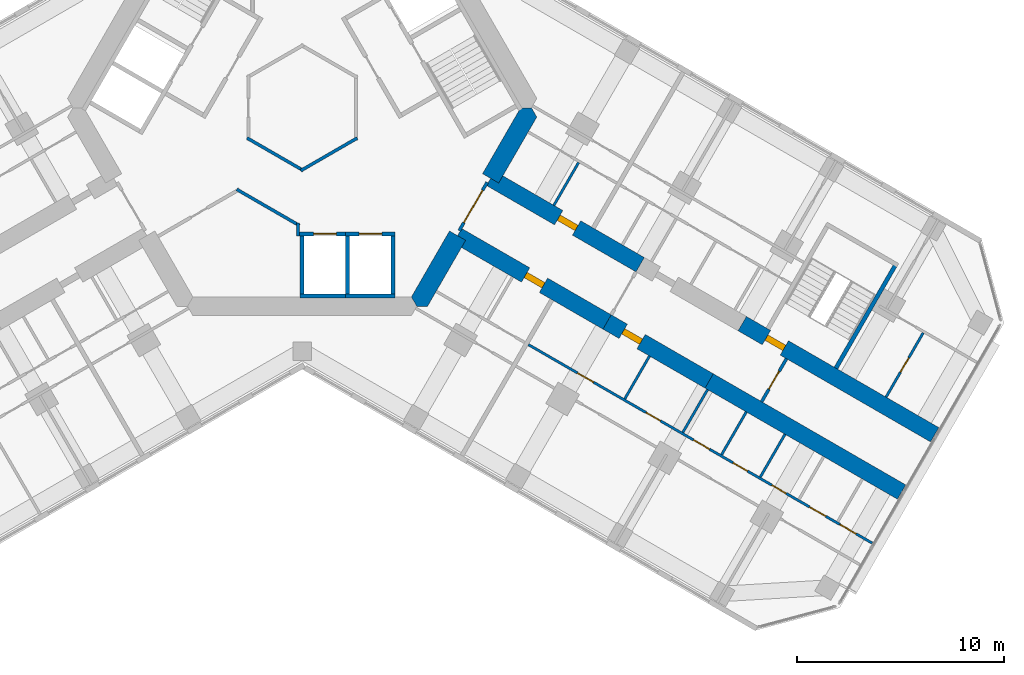
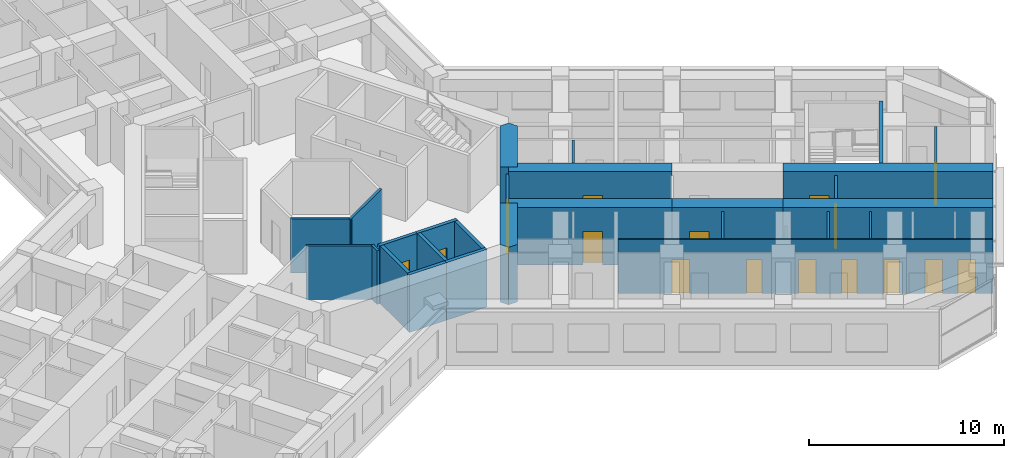
# One storey, part 14 of 19: 28 walls, 16 doors, 16 openings.
"""IFC4 building model written with IfcOpenShell, lengths in metres."""

from ifc_helpers import new_model, si_unit, direction, frame, frame_2d, origin, place, context, subcontext, project, spatial, polyline, rectangle, outline, extrude, material, layer, layer_set, type_object, element, fill, save


model = new_model("IFC4")

# Units and contexts
model_context = context("Model", 3, precision=1e-05, world=origin(), true_north=direction((0.0, 1.0)))
body_context = subcontext(model_context, "Body", "Model", "MODEL_VIEW")
ifc_project = project(units=[si_unit("LENGTHUNIT", "METRE"), si_unit("AREAUNIT", "SQUARE_METRE"), si_unit("VOLUMEUNIT", "CUBIC_METRE"), si_unit("PLANEANGLEUNIT", "RADIAN"), si_unit("MASSUNIT", "GRAM", prefix="KILO")], contexts=[model_context])

# Site, building, storey
site_placement = place(None, origin())
site = spatial("IfcSite", under=ifc_project, at=site_placement, CompositionType="ELEMENT")
building_placement = place(site_placement, origin())
building = spatial("IfcBuilding", under=site, at=building_placement, Name="Kosmar Iwan School Tower", CompositionType="ELEMENT")
storey_placement = place(building_placement, frame((0.0, 0.0, 149.0)))
storey = spatial("IfcBuildingStorey", under=building, at=storey_placement, Name="L37", CompositionType="ELEMENT", Elevation=149.0)

# Walls
ifc_material_1 = material(Name="Gypsum board on steel studs, fire-rated", Category="steel")
ifc_layer_1 = layer(ifc_material_1, 0.14990234375)
ifc_layer_set_1 = layer_set([ifc_layer_1], Name="Core room partition 150")
wall_type_1 = type_object("IfcWallType", Name="Core room partition 150", PredefinedType="PARTITIONING", material=ifc_layer_set_1)
wall_1_placement = place(storey_placement, frame((-3.1650390625, -3.9462890625, 0.0), z_axis=(0.0, 0.0, 1.0), x_axis=(0.866040335699, -0.499974136273, 0.0)))
element("IfcWall", 1, at=wall_1_placement, inside=storey, type_object=wall_type_1, Name="Core room partition L37-CW6", PredefinedType="PARTITIONING", context=body_context, shape_type="SweptSolid", body=[
    extrude(rectangle(XDim=3.498779296875, YDim=0.14990234375, at=frame_2d((1.74951171875, 0.0))), origin(), (0.0, 0.0, 1.0), 3.35009765625),
])
wall_2_placement = place(storey_placement, frame((-0.199951171875, -5.5830078125, 0.0), z_axis=(0.0, 0.0, 1.0), x_axis=(0.0, -1.0, 0.0)))
element("IfcWall", 2, at=wall_2_placement, inside=storey, type_object=wall_type_1, Name="Core room partition L37-CW7", PredefinedType="PARTITIONING", context=body_context, shape_type="SweptSolid", body=[
    extrude(rectangle(XDim=0.616943359375, YDim=0.14990234375, at=frame_2d((0.30859375, 0.0))), origin(), (0.0, 0.0, 1.0), 3.35009765625),
])
for number, where, z_axis, x_axis, name in (
    (3, (2.6650390625, -1.463623046875, 0.0), (0.0, 0.0, 1.0), (-0.866023080072, -0.500004024767, 0.0), "Core room partition L37-CW8"),
    (4, (0.06494140625, -3.039794921875, 0.0), (0.0, 0.0, 1.0), (-0.866023080072, 0.500004024767, 0.0), "Core room partition L37-CW9"),
):
    element("IfcWall", number, at=place(storey_placement, frame(where, z_axis=z_axis, x_axis=x_axis)), inside=storey, type_object=wall_type_1, Name=name, PredefinedType="PARTITIONING", context=body_context, shape_type="SweptSolid", body=[
        extrude(rectangle(XDim=3.15234375, YDim=0.14990234375, at=frame_2d((1.576171875, 0.0))), origin(), (0.0, 0.0, 1.0), 3.35009765625),
    ])
ifc_material_2 = material(Name="Concrete C50/60", Category="concrete")
ifc_layer_2 = layer(ifc_material_2, 0.89990234375)
ifc_layer_set_2 = layer_set([ifc_layer_2], Name="Core wall 900")
wall_type_2 = type_object("IfcWallType", Name="Core wall 900", PredefinedType="SHEAR", material=ifc_layer_set_2)
wall_3_placement = place(storey_placement, origin())
element("IfcWall", 5, at=wall_3_placement, inside=storey, type_object=wall_type_2, Name="Core wall F330a", PredefinedType="SHEAR", context=body_context, shape_type="SweptSolid", body=[
    extrude(outline(polyline([(5.54248046875, -9.60009765625), (6.062255859375, -9.60009765625), (7.903564453125, -6.41064453125), (7.1240234375, -5.960693359375), (5.28271484375, -9.14990234375), (5.54248046875, -9.60009765625)])), origin(), (0.0, 0.0, 1.0), 3.60009765625),
])
wall_4_placement = place(storey_placement, origin())
element("IfcWall", 6, at=wall_4_placement, inside=storey, type_object=wall_type_2, Name="Core wall F330b", PredefinedType="SHEAR", context=body_context, shape_type="SweptSolid", body=[
    extrude(outline(polyline([(9.503662109375, -3.639404296875), (11.344970703125, -0.449951171875), (11.085205078125, 0.0), (10.5654296875, 0.0), (8.72412109375, -3.189453125), (9.503662109375, -3.639404296875)])), origin(), (0.0, 0.0, 1.0), 3.60009765625),
])

# Wall, opening, door
ifc_material_3 = material(Name="Concrete C50/60", Category="concrete")
ifc_layer_3 = layer(ifc_material_3, 0.800048828125)
ifc_layer_set_3 = layer_set([ifc_layer_3], Name="Corridor buttress wall 800")
wall_type_3 = type_object("IfcWallType", Name="Corridor buttress wall 800", PredefinedType="SHEAR", material=ifc_layer_set_3)
wall_5_placement = place(storey_placement, frame((9.11376953125, -3.414306640625, 0.0), z_axis=(0.0, 0.0, 1.0), x_axis=(0.866026859388, -0.499997478812, 0.0)))
wall_5 = element("IfcWall", 7, at=wall_5_placement, inside=storey, type_object=wall_type_3, Name="Corridor wall CL", PredefinedType="SHEAR", context=body_context, shape_type="SweptSolid", body=[
    extrude(rectangle(XDim=8.35009765625, YDim=0.800048828125, at=frame_2d((4.175048828125, 0.0))), origin(), (0.0, 0.0, 1.0), 3.60009765625),
])
opening_1_placement = place(wall_5_placement, frame((3.800048828125, 0.0, 0.0)))
opening_1 = element("IfcOpeningElement", 8, at=opening_1_placement, cuts=wall_5, Name="Opening D1", PredefinedType="OPENING", context=body_context, shape_type="SweptSolid", body=[
    extrude(rectangle(XDim=1.0, YDim=2.10009765625, at=frame_2d((0.5, 1.050048828125))), frame((0.0, 0.412109375, 0.0), z_axis=(0.0, -1.0, 0.0), x_axis=(1.0, 0.0, 0.0)), (0.0, 0.0, 1.0), 0.823974609375),
])
ifc_material_4 = material(Name="Timber fire door in steel frame", Category="steel")
door_type_1 = type_object("IfcDoorType", Name="Flat entrance door 1000x2100", OperationType="SINGLE_SWING_LEFT", PredefinedType="DOOR", material=ifc_material_4)
door_1_placement = place(opening_1_placement, origin())
door_1 = element("IfcDoor", 9, at=door_1_placement, inside=storey, type_object=door_type_1, Name="Flat L37-CL1 entrance door", OperationType="SINGLE_SWING_LEFT", OverallHeight=2.10009765625, OverallWidth=1.0, PredefinedType="DOOR", context=body_context, shape_type="SweptSolid", body=[
    extrude(rectangle(XDim=1.0, YDim=2.10009765625, at=frame_2d((0.5, 1.050048828125))), frame((0.0, 0.14990234375, 0.0), z_axis=(0.0, -1.0, 0.0), x_axis=(1.0, 0.0, 0.0)), (0.0, 0.0, 1.0), 0.300048828125),
])
fill(opening_1, door_1)

wall_6_placement = place(storey_placement, frame((21.281494140625, -10.439453125, 0.0), z_axis=(0.0, 0.0, 1.0), x_axis=(0.866032345022, -0.499987977232, 0.0)))
wall_6 = element("IfcWall", 10, at=wall_6_placement, inside=storey, type_object=wall_type_3, Name="Corridor wall CL bay 3", PredefinedType="SHEAR", context=body_context, shape_type="SweptSolid", body=[
    extrude(rectangle(XDim=10.744873046875, YDim=0.800048828125, at=frame_2d((5.37255859375, 0.0))), origin(), (0.0, 0.0, 1.0), 3.60009765625),
])
opening_2_placement = place(wall_6_placement, frame((1.35009765625, 0.0, 0.0)))
opening_2 = element("IfcOpeningElement", 11, at=opening_2_placement, cuts=wall_6, Name="Opening D6", PredefinedType="OPENING", context=body_context, shape_type="SweptSolid", body=[
    extrude(rectangle(XDim=1.0, YDim=2.10009765625, at=frame_2d((0.5, 1.050048828125))), frame((0.0, 0.412109375, 0.0), z_axis=(0.0, -1.0, 0.0), x_axis=(1.0, 0.0, 0.0)), (0.0, 0.0, 1.0), 0.823974609375),
])
ifc_material_5 = material(Name="Steel fire door", Category="steel")
door_type_2 = type_object("IfcDoorType", Name="Stair door 1000x2100", OperationType="SINGLE_SWING_LEFT", PredefinedType="DOOR", material=ifc_material_5)
door_2_placement = place(opening_2_placement, origin())
door_2 = element("IfcDoor", 12, at=door_2_placement, inside=storey, type_object=door_type_2, Name="Stair WS3 door L37", OperationType="SINGLE_SWING_LEFT", OverallHeight=2.10009765625, OverallWidth=1.0, PredefinedType="DOOR", context=body_context, shape_type="SweptSolid", body=[
    extrude(rectangle(XDim=1.0, YDim=2.10009765625, at=frame_2d((0.5, 1.050048828125))), frame((0.0, 0.14990234375, 0.0), z_axis=(0.0, -1.0, 0.0), x_axis=(1.0, 0.0, 0.0)), (0.0, 0.0, 1.0), 0.300048828125),
])
fill(opening_2, door_2)

wall_7_placement = place(storey_placement, frame((7.513916015625, -6.185546875, 0.0), z_axis=(0.0, 0.0, 1.0), x_axis=(0.866019549707, -0.500010139422, 0.0)))
wall_7 = element("IfcWall", 13, at=wall_7_placement, inside=storey, type_object=wall_type_3, Name="Corridor wall CR", PredefinedType="SHEAR", context=body_context, shape_type="SweptSolid", body=[
    extrude(rectangle(XDim=8.349853515625, YDim=0.800048828125, at=frame_2d((4.1748046875, 0.0))), origin(), (0.0, 0.0, 1.0), 3.60009765625),
])
opening_3_placement = place(wall_7_placement, frame((3.800048828125, 0.0, 0.0)))
opening_3 = element("IfcOpeningElement", 14, at=opening_3_placement, cuts=wall_7, Name="Opening D1", PredefinedType="OPENING", context=body_context, shape_type="SweptSolid", body=[
    extrude(rectangle(XDim=1.0, YDim=2.10009765625, at=frame_2d((0.5, 1.050048828125))), frame((0.0, 0.412109375, 0.0), z_axis=(0.0, -1.0, 0.0), x_axis=(1.0, 0.0, 0.0)), (0.0, 0.0, 1.0), 0.823974609375),
])
door_3_placement = place(opening_3_placement, origin())
door_3 = element("IfcDoor", 15, at=door_3_placement, inside=storey, type_object=door_type_1, Name="Flat L37-CR1 entrance door", OperationType="SINGLE_SWING_RIGHT", OverallHeight=2.10009765625, OverallWidth=1.0, PredefinedType="DOOR", context=body_context, shape_type="SweptSolid", body=[
    extrude(rectangle(XDim=1.0, YDim=2.10009765625, at=frame_2d((0.5, 1.050048828125))), frame((0.0, 0.14990234375, 0.0), z_axis=(0.0, -1.0, 0.0), x_axis=(1.0, 0.0, 0.0)), (0.0, 0.0, 1.0), 0.300048828125),
])
fill(opening_3, door_3)

wall_8_placement = place(storey_placement, frame((14.7451171875, -10.360595703125, 0.0), z_axis=(0.0, 0.0, 1.0), x_axis=(0.866015111908, -0.50001782563, 0.0)))
wall_8 = element("IfcWall", 16, at=wall_8_placement, inside=storey, type_object=wall_type_3, Name="Corridor wall CR bay 2", PredefinedType="SHEAR", context=body_context, shape_type="SweptSolid", body=[
    extrude(rectangle(XDim=5.699951171875, YDim=0.800048828125, at=frame_2d((2.85009765625, 0.0))), origin(), (0.0, 0.0, 1.0), 3.60009765625),
])
opening_4_placement = place(wall_8_placement, frame((0.89990234375, 0.0, 0.0)))
opening_4 = element("IfcOpeningElement", 17, at=opening_4_placement, cuts=wall_8, Name="Opening D1", PredefinedType="OPENING", context=body_context, shape_type="SweptSolid", body=[
    extrude(rectangle(XDim=1.0, YDim=2.10009765625, at=frame_2d((0.5, 1.050048828125))), frame((0.0, 0.412109375, 0.0), z_axis=(0.0, -1.0, 0.0), x_axis=(1.0, 0.0, 0.0)), (0.0, 0.0, 1.0), 0.823974609375),
])
door_4_placement = place(opening_4_placement, origin())
door_4 = element("IfcDoor", 18, at=door_4_placement, inside=storey, type_object=door_type_1, Name="Flat L37-CR2 entrance door", OperationType="SINGLE_SWING_LEFT", OverallHeight=2.10009765625, OverallWidth=1.0, PredefinedType="DOOR", context=body_context, shape_type="SweptSolid", body=[
    extrude(rectangle(XDim=1.0, YDim=2.10009765625, at=frame_2d((0.5, 1.050048828125))), frame((0.0, 0.14990234375, 0.0), z_axis=(0.0, -1.0, 0.0), x_axis=(1.0, 0.0, 0.0)), (0.0, 0.0, 1.0), 0.300048828125),
])
fill(opening_4, door_4)

# Wall
wall_9_placement = place(storey_placement, frame((19.681396484375, -13.210693359375, 0.0), z_axis=(0.0, 0.0, 1.0), x_axis=(0.866028186671, -0.499995179869, 0.0)))
element("IfcWall", 19, at=wall_9_placement, inside=storey, type_object=wall_type_3, Name="Corridor wall CR bay 3", PredefinedType="SHEAR", context=body_context, shape_type="SweptSolid", body=[
    extrude(rectangle(XDim=10.7451171875, YDim=0.800048828125, at=frame_2d((5.37255859375, 0.0))), origin(), (0.0, 0.0, 1.0), 3.60009765625),
])

# Wall, opening, door
ifc_material_6 = material(Name="Gypsum board on steel studs, fire-rated", Category="steel")
ifc_layer_4 = layer(ifc_material_6, 0.14990234375)
ifc_layer_set_4 = layer_set([ifc_layer_4], Name="Corridor end wall 150")
wall_type_4 = type_object("IfcWallType", Name="Corridor end wall 150", PredefinedType="PARTITIONING", material=ifc_layer_set_4)
wall_10_placement = place(storey_placement, frame((22.2197265625, -14.21435546875, 0.0), z_axis=(0.0, 0.0, 1.0), x_axis=(0.499957262057, 0.866050077142, 0.0)))
wall_10 = element("IfcWall", 20, at=wall_10_placement, inside=storey, type_object=wall_type_4, Name="Partition L37-C-CE", PredefinedType="PARTITIONING", context=body_context, shape_type="SweptSolid", body=[
    extrude(rectangle(XDim=2.400146484375, YDim=0.14990234375, at=frame_2d((1.2001953125, 0.0))), origin(), (0.0, 0.0, 1.0), 3.35009765625),
])
opening_5_placement = place(wall_10_placement, frame((0.699951171875, 0.0, 0.0)))
opening_5 = element("IfcOpeningElement", 21, at=opening_5_placement, cuts=wall_10, Name="Opening D13", PredefinedType="OPENING", context=body_context, shape_type="SweptSolid", body=[
    extrude(rectangle(XDim=1.0, YDim=2.10009765625, at=frame_2d((0.5, 1.050048828125))), frame((0.0, 0.0869140625, 0.0), z_axis=(0.0, -1.0, 0.0), x_axis=(1.0, 0.0, 0.0)), (0.0, 0.0, 1.0), 0.173828125),
])
ifc_material_7 = material(Name="Timber fire door with vision panel", Category="wood")
door_type_3 = type_object("IfcDoorType", Name="Corridor end door 1000x2100", OperationType="SINGLE_SWING_LEFT", PredefinedType="DOOR", material=ifc_material_7)
door_5_placement = place(opening_5_placement, origin())
door_5 = element("IfcDoor", 22, at=door_5_placement, inside=storey, type_object=door_type_3, Name="Family study room door L37-C", OperationType="SINGLE_SWING_LEFT", OverallHeight=2.10009765625, OverallWidth=1.0, PredefinedType="DOOR", context=body_context, shape_type="SweptSolid", body=[
    extrude(rectangle(XDim=1.0, YDim=2.10009765625, at=frame_2d((0.5, 1.050048828125))), frame((0.0, 0.02490234375, 0.0), z_axis=(0.0, -1.0, 0.0), x_axis=(1.0, 0.0, 0.0)), (0.0, 0.0, 1.0), 0.050048828125),
])
fill(opening_5, door_5)

ifc_material_8 = material(Name="Steel framed glazed screen", Category="steel")
ifc_layer_5 = layer(ifc_material_8, 0.14990234375)
ifc_layer_set_5 = layer_set([ifc_layer_5], Name="Corridor screen wall 150")
wall_type_5 = type_object("IfcWallType", Name="Corridor screen wall 150", PredefinedType="PARTITIONING", material=ifc_layer_set_5)
wall_11_placement = place(storey_placement, frame((7.595458984375, -5.944091796875, 0.0), z_axis=(0.0, 0.0, 1.0), x_axis=(0.500048589285, 0.86599734893, 0.0)))
wall_11 = element("IfcWall", 23, at=wall_11_placement, inside=storey, type_object=wall_type_5, Name="Corridor screen C L37", PredefinedType="PARTITIONING", context=body_context, shape_type="SweptSolid", body=[
    extrude(rectangle(XDim=2.699951171875, YDim=0.14990234375, at=frame_2d((1.35009765625, 0.0))), origin(), (0.0, 0.0, 1.0), 3.35009765625),
])
opening_6_placement = place(wall_11_placement, frame((0.449951171875, 0.0, 0.0)))
opening_6 = element("IfcOpeningElement", 24, at=opening_6_placement, cuts=wall_11, Name="Opening D9", PredefinedType="OPENING", context=body_context, shape_type="SweptSolid", body=[
    extrude(rectangle(XDim=1.800048828125, YDim=2.10009765625, at=frame_2d((0.89990234375, 1.050048828125))), frame((0.0, 0.0869140625, 0.0), z_axis=(0.0, -1.0, 0.0), x_axis=(1.0, 0.0, 0.0)), (0.0, 0.0, 1.0), 0.173828125),
])
ifc_material_9 = material(Name="Steel framed glazed smoke door", Category="steel")
door_type_4 = type_object("IfcDoorType", Name="Corridor smoke door pair 1800x2100", OperationType="DOUBLE_DOOR_DOUBLE_SWING", PredefinedType="DOOR", material=ifc_material_9)
door_6_placement = place(opening_6_placement, origin())
door_6 = element("IfcDoor", 25, at=door_6_placement, inside=storey, type_object=door_type_4, Name="Corridor doors C L37", OperationType="DOUBLE_DOOR_DOUBLE_SWING", OverallHeight=2.10009765625, OverallWidth=1.800048828125, PredefinedType="DOOR", context=body_context, shape_type="SweptSolid", body=[
    extrude(rectangle(XDim=1.800048828125, YDim=2.10009765625, at=frame_2d((0.89990234375, 1.050048828125))), frame((0.0, 0.02490234375, 0.0), z_axis=(0.0, -1.0, 0.0), x_axis=(1.0, 0.0, 0.0)), (0.0, 0.0, 1.0), 0.050048828125),
])
fill(opening_6, door_6)

# Wall
ifc_material_10 = material(Name="Gypsum board on steel studs", Category="steel")
ifc_layer_6 = layer(ifc_material_10, 0.1201171875)
ifc_layer_set_6 = layer_set([ifc_layer_6], Name="Dwelling partition 120")
wall_type_6 = type_object("IfcWallType", Name="Dwelling partition 120", PredefinedType="PARTITIONING", material=ifc_layer_set_6)
wall_12_placement = place(storey_placement, frame((12.171630859375, -4.718017578125, 0.0), z_axis=(0.0, 0.0, 1.0), x_axis=(0.500017192868, 0.86601547725, 0.0)))
element("IfcWall", 26, at=wall_12_placement, inside=storey, type_object=wall_type_6, Name="Partition L37-CL1-Y1", PredefinedType="PARTITIONING", context=body_context, shape_type="SweptSolid", body=[
    extrude(rectangle(XDim=2.39013671875, YDim=0.1201171875, at=frame_2d((1.195068359375, 0.0))), origin(), (0.0, 0.0, 1.0), 3.35009765625),
])

# Wall, opening, door
wall_13_placement = place(storey_placement, frame((28.236572265625, -13.992919921875, 0.0), z_axis=(0.0, 0.0, 1.0), x_axis=(0.499971658126, 0.866041766355, 0.0)))
wall_13 = element("IfcWall", 27, at=wall_13_placement, inside=storey, type_object=wall_type_6, Name="Partition L37-CL2-TY", PredefinedType="PARTITIONING", context=body_context, shape_type="SweptSolid", body=[
    extrude(rectangle(XDim=3.590087890625, YDim=0.1201171875, at=frame_2d((1.794921875, 0.0))), origin(), (0.0, 0.0, 1.0), 3.35009765625),
])
opening_7_placement = place(wall_13_placement, frame((1.39501953125, 0.0, 0.0)))
opening_7 = element("IfcOpeningElement", 28, at=opening_7_placement, cuts=wall_13, Name="Opening D3", PredefinedType="OPENING", context=body_context, shape_type="SweptSolid", body=[
    extrude(rectangle(XDim=0.800048828125, YDim=2.10009765625, at=frame_2d((0.39990234375, 1.050048828125))), frame((0.0, 0.072021484375, 0.0), z_axis=(0.0, -1.0, 0.0), x_axis=(1.0, 0.0, 0.0)), (0.0, 0.0, 1.0), 0.14404296875),
])
ifc_material_11 = material(Name="Timber door in timber frame", Category="wood")
door_type_5 = type_object("IfcDoorType", Name="Sanitary room door 800x2100", OperationType="SINGLE_SWING_LEFT", PredefinedType="DOOR", material=ifc_material_11)
door_7_placement = place(opening_7_placement, origin())
door_7 = element("IfcDoor", 29, at=door_7_placement, inside=storey, type_object=door_type_5, Name="Shower room door L37-CL2-T4", OperationType="SINGLE_SWING_LEFT", OverallHeight=2.10009765625, OverallWidth=0.800048828125, PredefinedType="DOOR", context=body_context, shape_type="SweptSolid", body=[
    extrude(rectangle(XDim=0.800048828125, YDim=2.10009765625, at=frame_2d((0.39990234375, 1.050048828125))), frame((0.0, 0.02490234375, 0.0), z_axis=(0.0, -1.0, 0.0), x_axis=(1.0, 0.0, 0.0)), (0.0, 0.0, 1.0), 0.050048828125),
])
fill(opening_7, door_7)

# Wall, openings, doors
wall_14_placement = place(storey_placement, frame((10.9384765625, -11.453857421875, 0.0), z_axis=(0.0, 0.0, 1.0), x_axis=(0.866029698618, -0.499992561057, 0.0)))
wall_14 = element("IfcWall", 30, at=wall_14_placement, inside=storey, type_object=wall_type_6, Name="Partition L37-CR2-W1", PredefinedType="PARTITIONING", context=body_context, shape_type="SweptSolid", body=[
    extrude(rectangle(XDim=19.195068359375, YDim=0.1201171875, at=frame_2d((9.59765625, 0.0))), origin(), (0.0, 0.0, 1.0), 3.35009765625),
])
opening_8_placement = place(wall_14_placement, frame((2.75, 0.0, 0.0)))
opening_8 = element("IfcOpeningElement", 31, at=opening_8_placement, cuts=wall_14, Name="Opening D2", PredefinedType="OPENING", context=body_context, shape_type="SweptSolid", body=[
    extrude(rectangle(XDim=0.89990234375, YDim=2.10009765625, at=frame_2d((0.449951171875, 1.050048828125))), frame((0.0, 0.072021484375, 0.0), z_axis=(0.0, -1.0, 0.0), x_axis=(1.0, 0.0, 0.0)), (0.0, 0.0, 1.0), 0.14404296875),
])
opening_9_placement = place(wall_14_placement, frame((6.571044921875, 0.0, 0.0)))
opening_9 = element("IfcOpeningElement", 32, at=opening_9_placement, cuts=wall_14, Name="Opening D3", PredefinedType="OPENING", context=body_context, shape_type="SweptSolid", body=[
    extrude(rectangle(XDim=0.800048828125, YDim=2.10009765625, at=frame_2d((0.39990234375, 1.050048828125))), frame((0.0, 0.072021484375, 0.0), z_axis=(0.0, -1.0, 0.0), x_axis=(1.0, 0.0, 0.0)), (0.0, 0.0, 1.0), 0.14404296875),
])
opening_10_placement = place(wall_14_placement, frame((9.22314453125, 0.0, 0.0)))
opening_10 = element("IfcOpeningElement", 33, at=opening_10_placement, cuts=wall_14, Name="Opening D2", PredefinedType="OPENING", context=body_context, shape_type="SweptSolid", body=[
    extrude(rectangle(XDim=0.89990234375, YDim=2.10009765625, at=frame_2d((0.449951171875, 1.050048828125))), frame((0.0, 0.072021484375, 0.0), z_axis=(0.0, -1.0, 0.0), x_axis=(1.0, 0.0, 0.0)), (0.0, 0.0, 1.0), 0.14404296875),
])
opening_11_placement = place(wall_14_placement, frame((11.4345703125, 0.0, 0.0)))
opening_11 = element("IfcOpeningElement", 34, at=opening_11_placement, cuts=wall_14, Name="Opening D3", PredefinedType="OPENING", context=body_context, shape_type="SweptSolid", body=[
    extrude(rectangle(XDim=0.800048828125, YDim=2.10009765625, at=frame_2d((0.39990234375, 1.050048828125))), frame((0.0, 0.072021484375, 0.0), z_axis=(0.0, -1.0, 0.0), x_axis=(1.0, 0.0, 0.0)), (0.0, 0.0, 1.0), 0.14404296875),
])
opening_12_placement = place(wall_14_placement, frame((13.59619140625, 0.0, 0.0)))
opening_12 = element("IfcOpeningElement", 35, at=opening_12_placement, cuts=wall_14, Name="Opening D3", PredefinedType="OPENING", context=body_context, shape_type="SweptSolid", body=[
    extrude(rectangle(XDim=0.800048828125, YDim=2.10009765625, at=frame_2d((0.39990234375, 1.050048828125))), frame((0.0, 0.072021484375, 0.0), z_axis=(0.0, -1.0, 0.0), x_axis=(1.0, 0.0, 0.0)), (0.0, 0.0, 1.0), 0.14404296875),
])
opening_13_placement = place(wall_14_placement, frame((15.707763671875, 0.0, 0.0)))
opening_13 = element("IfcOpeningElement", 36, at=opening_13_placement, cuts=wall_14, Name="Opening D2", PredefinedType="OPENING", context=body_context, shape_type="SweptSolid", body=[
    extrude(rectangle(XDim=0.89990234375, YDim=2.10009765625, at=frame_2d((0.449951171875, 1.050048828125))), frame((0.0, 0.072021484375, 0.0), z_axis=(0.0, -1.0, 0.0), x_axis=(1.0, 0.0, 0.0)), (0.0, 0.0, 1.0), 0.14404296875),
])
opening_14_placement = place(wall_14_placement, frame((17.3984375, 0.0, 0.0)))
opening_14 = element("IfcOpeningElement", 37, at=opening_14_placement, cuts=wall_14, Name="Opening D2", PredefinedType="OPENING", context=body_context, shape_type="SweptSolid", body=[
    extrude(rectangle(XDim=0.89990234375, YDim=2.10009765625, at=frame_2d((0.449951171875, 1.050048828125))), frame((0.0, 0.072021484375, 0.0), z_axis=(0.0, -1.0, 0.0), x_axis=(1.0, 0.0, 0.0)), (0.0, 0.0, 1.0), 0.14404296875),
])
ifc_material_12 = material(Name="Timber door in timber frame", Category="wood")
door_type_6 = type_object("IfcDoorType", Name="Internal door 900x2100", OperationType="SINGLE_SWING_LEFT", PredefinedType="DOOR", material=ifc_material_12)
door_8_placement = place(opening_8_placement, origin())
door_8 = element("IfcDoor", 38, at=door_8_placement, inside=storey, type_object=door_type_6, Name="Entrance hall door L37-CR2-S1", OperationType="SINGLE_SWING_RIGHT", OverallHeight=2.10009765625, OverallWidth=0.89990234375, PredefinedType="DOOR", context=body_context, shape_type="SweptSolid", body=[
    extrude(rectangle(XDim=0.89990234375, YDim=2.10009765625, at=frame_2d((0.449951171875, 1.050048828125))), frame((0.0, 0.02490234375, 0.0), z_axis=(0.0, -1.0, 0.0), x_axis=(1.0, 0.0, 0.0)), (0.0, 0.0, 1.0), 0.050048828125),
])
fill(opening_8, door_8)
door_9_placement = place(opening_10_placement, origin())
door_9 = element("IfcDoor", 39, at=door_9_placement, inside=storey, type_object=door_type_6, Name="Pantry door L37-CR2-S3", OperationType="SINGLE_SWING_RIGHT", OverallHeight=2.10009765625, OverallWidth=0.89990234375, PredefinedType="DOOR", context=body_context, shape_type="SweptSolid", body=[
    extrude(rectangle(XDim=0.89990234375, YDim=2.10009765625, at=frame_2d((0.449951171875, 1.050048828125))), frame((0.0, 0.02490234375, 0.0), z_axis=(0.0, -1.0, 0.0), x_axis=(1.0, 0.0, 0.0)), (0.0, 0.0, 1.0), 0.050048828125),
])
fill(opening_10, door_9)
door_10_placement = place(opening_13_placement, origin())
door_10 = element("IfcDoor", 40, at=door_10_placement, inside=storey, type_object=door_type_6, Name="Utility room door L37-CR2-S6", OperationType="SINGLE_SWING_LEFT", OverallHeight=2.10009765625, OverallWidth=0.89990234375, PredefinedType="DOOR", context=body_context, shape_type="SweptSolid", body=[
    extrude(rectangle(XDim=0.89990234375, YDim=2.10009765625, at=frame_2d((0.449951171875, 1.050048828125))), frame((0.0, 0.02490234375, 0.0), z_axis=(0.0, -1.0, 0.0), x_axis=(1.0, 0.0, 0.0)), (0.0, 0.0, 1.0), 0.050048828125),
])
fill(opening_13, door_10)
door_11_placement = place(opening_14_placement, origin())
door_11 = element("IfcDoor", 41, at=door_11_placement, inside=storey, type_object=door_type_6, Name="Dressing room door L37-CR2-S7", OperationType="SINGLE_SWING_LEFT", OverallHeight=2.10009765625, OverallWidth=0.89990234375, PredefinedType="DOOR", context=body_context, shape_type="SweptSolid", body=[
    extrude(rectangle(XDim=0.89990234375, YDim=2.10009765625, at=frame_2d((0.449951171875, 1.050048828125))), frame((0.0, 0.02490234375, 0.0), z_axis=(0.0, -1.0, 0.0), x_axis=(1.0, 0.0, 0.0)), (0.0, 0.0, 1.0), 0.050048828125),
])
fill(opening_14, door_11)
door_12_placement = place(opening_9_placement, origin())
door_12 = element("IfcDoor", 42, at=door_12_placement, inside=storey, type_object=door_type_5, Name="Bathroom door L37-CR2-S2", OperationType="SINGLE_SWING_LEFT", OverallHeight=2.10009765625, OverallWidth=0.800048828125, PredefinedType="DOOR", context=body_context, shape_type="SweptSolid", body=[
    extrude(rectangle(XDim=0.800048828125, YDim=2.10009765625, at=frame_2d((0.39990234375, 1.050048828125))), frame((0.0, 0.02490234375, 0.0), z_axis=(0.0, -1.0, 0.0), x_axis=(1.0, 0.0, 0.0)), (0.0, 0.0, 1.0), 0.050048828125),
])
fill(opening_9, door_12)
door_13_placement = place(opening_11_placement, origin())
door_13 = element("IfcDoor", 43, at=door_13_placement, inside=storey, type_object=door_type_5, Name="WC door L37-CR2-S4", OperationType="SINGLE_SWING_LEFT", OverallHeight=2.10009765625, OverallWidth=0.800048828125, PredefinedType="DOOR", context=body_context, shape_type="SweptSolid", body=[
    extrude(rectangle(XDim=0.800048828125, YDim=2.10009765625, at=frame_2d((0.39990234375, 1.050048828125))), frame((0.0, 0.02490234375, 0.0), z_axis=(0.0, -1.0, 0.0), x_axis=(1.0, 0.0, 0.0)), (0.0, 0.0, 1.0), 0.050048828125),
])
fill(opening_11, door_13)
door_14_placement = place(opening_12_placement, origin())
door_14 = element("IfcDoor", 44, at=door_14_placement, inside=storey, type_object=door_type_5, Name="Store door L37-CR2-S5", OperationType="SINGLE_SWING_RIGHT", OverallHeight=2.10009765625, OverallWidth=0.800048828125, PredefinedType="DOOR", context=body_context, shape_type="SweptSolid", body=[
    extrude(rectangle(XDim=0.800048828125, YDim=2.10009765625, at=frame_2d((0.39990234375, 1.050048828125))), frame((0.0, 0.02490234375, 0.0), z_axis=(0.0, -1.0, 0.0), x_axis=(1.0, 0.0, 0.0)), (0.0, 0.0, 1.0), 0.050048828125),
])
fill(opening_12, door_14)

# Walls
wall_15_placement = place(storey_placement, frame((16.796875, -12.007080078125, 0.0), z_axis=(0.0, 0.0, 1.0), x_axis=(-0.500017192868, -0.86601547725, 0.0)))
element("IfcWall", 45, at=wall_15_placement, inside=storey, type_object=wall_type_6, Name="Partition L37-CR2-Y1", PredefinedType="PARTITIONING", context=body_context, shape_type="SweptSolid", body=[
    extrude(rectangle(XDim=2.39013671875, YDim=0.1201171875, at=frame_2d((1.195068359375, 0.0))), origin(), (0.0, 0.0, 1.0), 3.35009765625),
])
wall_16_placement = place(storey_placement, frame((19.604736328125, -13.628173828125, 0.0), z_axis=(0.0, 0.0, 1.0), x_axis=(-0.500017192868, -0.86601547725, 0.0)))
element("IfcWall", 46, at=wall_16_placement, inside=storey, type_object=wall_type_6, Name="Partition L37-CR2-Y2", PredefinedType="PARTITIONING", context=body_context, shape_type="SweptSolid", body=[
    extrude(rectangle(XDim=2.39013671875, YDim=0.1201171875, at=frame_2d((1.195068359375, 0.0))), origin(), (0.0, 0.0, 1.0), 2.449951171875),
])
for number, where, z_axis, x_axis, name in (
    (47, (21.476806640625, -14.708984375, 0.0), (0.0, 0.0, 1.0), (-0.500017192868, -0.86601547725, 0.0), "Partition L37-CR2-Y3"),
    (48, (23.3486328125, -15.789794921875, 0.0), (0.0, 0.0, 1.0), (-0.500017192868, -0.86601547725, 0.0), "Partition L37-CR2-Y4"),
):
    element("IfcWall", number, at=place(storey_placement, frame(where, z_axis=z_axis, x_axis=x_axis)), inside=storey, type_object=wall_type_6, Name=name, PredefinedType="PARTITIONING", context=body_context, shape_type="SweptSolid", body=[
        extrude(rectangle(XDim=2.39013671875, YDim=0.1201171875, at=frame_2d((1.195068359375, 0.0))), origin(), (0.0, 0.0, 1.0), 3.35009765625),
    ])
ifc_material_13 = material(Name="Concrete C35/45", Category="concrete")
ifc_layer_7 = layer(ifc_material_13, 0.199951171875)
ifc_layer_set_7 = layer_set([ifc_layer_7], Name="Escape stair wall 200")
wall_type_7 = type_object("IfcWallType", Name="Escape stair wall 200", PredefinedType="SHEAR", material=ifc_layer_set_7)
wall_17_placement = place(storey_placement, frame((25.8115234375, -12.593017578125, 0.0), z_axis=(0.0, 0.0, 1.0), x_axis=(0.500019744199, 0.866014004166, 0.0)))
element("IfcWall", 49, at=wall_17_placement, inside=storey, type_object=wall_type_7, Name="Stair WS3 wall", PredefinedType="SHEAR", context=body_context, shape_type="SweptSolid", body=[
    extrude(rectangle(XDim=5.900146484375, YDim=0.199951171875, at=frame_2d((2.9501953125, 0.0))), origin(), (0.0, 0.0, 1.0), 3.330078125),
])

# Wall, opening, door
ifc_material_14 = material(Name="Concrete C50/60", Category="concrete")
ifc_layer_8 = layer(ifc_material_14, 0.199951171875)
ifc_layer_set_8 = layer_set([ifc_layer_8], Name="Lift shaft wall 200")
wall_type_8 = type_object("IfcWallType", Name="Lift shaft wall 200", PredefinedType="SHEAR", material=ifc_layer_set_8)
wall_18_placement = place(storey_placement, frame((-0.125, -6.10009765625, 0.0), z_axis=(0.0, 0.0, 1.0), x_axis=(1.0, 0.0, 0.0)))
wall_18 = element("IfcWall", 50, at=wall_18_placement, inside=storey, type_object=wall_type_8, Name="Lift and stair front wall BC", PredefinedType="SHEAR", context=body_context, shape_type="SweptSolid", body=[
    extrude(rectangle(XDim=2.22509765625, YDim=0.199951171875, at=frame_2d((1.112548828125, 0.0))), origin(), (0.0, 0.0, 1.0), 3.60009765625),
])
opening_15_placement = place(wall_18_placement, frame((0.675048828125, 0.0, 0.0)))
opening_15 = element("IfcOpeningElement", 51, at=opening_15_placement, cuts=wall_18, Name="Opening LD1", PredefinedType="OPENING", context=body_context, shape_type="SweptSolid", body=[
    extrude(rectangle(XDim=1.10009765625, YDim=2.10009765625, at=frame_2d((0.550048828125, 1.050048828125))), frame((0.0, 0.112060546875, 0.0), z_axis=(0.0, -1.0, 0.0), x_axis=(1.0, 0.0, 0.0)), (0.0, 0.0, 1.0), 0.223876953125),
])
ifc_material_15 = material(Name="Stainless steel sliding lift door", Category="steel")
door_type_7 = type_object("IfcDoorType", Name="Lift landing door 1100x2100", OperationType="SLIDING_TO_LEFT", PredefinedType="DOOR", material=ifc_material_15)
door_15_placement = place(opening_15_placement, origin())
door_15 = element("IfcDoor", 52, at=door_15_placement, inside=storey, type_object=door_type_7, Name="Lift PL3 landing door L37", OperationType="SLIDING_TO_LEFT", OverallHeight=2.10009765625, OverallWidth=1.10009765625, PredefinedType="DOOR", context=body_context, shape_type="SweptSolid", body=[
    extrude(rectangle(XDim=1.10009765625, YDim=2.10009765625, at=frame_2d((0.550048828125, 1.050048828125))), frame((0.0, 0.02490234375, 0.0), z_axis=(0.0, -1.0, 0.0), x_axis=(1.0, 0.0, 0.0)), (0.0, 0.0, 1.0), 0.050048828125),
])
fill(opening_15, door_15)

# Wall
wall_19_placement = place(storey_placement, frame((-0.10009765625, -9.10009765625, 0.0), z_axis=(0.0, 0.0, 1.0), x_axis=(1.0, 0.0, 0.0)))
element("IfcWall", 53, at=wall_19_placement, inside=storey, type_object=wall_type_8, Name="Lift and stair back wall BC", PredefinedType="SHEAR", context=body_context, shape_type="SweptSolid", body=[
    extrude(rectangle(XDim=2.2001953125, YDim=0.199951171875, at=frame_2d((1.10009765625, 0.0))), origin(), (0.0, 0.0, 1.0), 3.60009765625),
])

# Wall, opening, door
wall_20_placement = place(storey_placement, frame((2.10009765625, -6.10009765625, 0.0), z_axis=(0.0, 0.0, 1.0), x_axis=(1.0, 0.0, 0.0)))
wall_20 = element("IfcWall", 54, at=wall_20_placement, inside=storey, type_object=wall_type_8, Name="Lift and stair front wall BC", PredefinedType="SHEAR", context=body_context, shape_type="SweptSolid", body=[
    extrude(rectangle(XDim=2.39990234375, YDim=0.199951171875, at=frame_2d((1.199951171875, 0.0))), origin(), (0.0, 0.0, 1.0), 3.60009765625),
])
opening_16_placement = place(wall_20_placement, frame((0.64990234375, 0.0, 0.0)))
opening_16 = element("IfcOpeningElement", 55, at=opening_16_placement, cuts=wall_20, Name="Opening LD1", PredefinedType="OPENING", context=body_context, shape_type="SweptSolid", body=[
    extrude(rectangle(XDim=1.10009765625, YDim=2.10009765625, at=frame_2d((0.550048828125, 1.050048828125))), frame((0.0, 0.112060546875, 0.0), z_axis=(0.0, -1.0, 0.0), x_axis=(1.0, 0.0, 0.0)), (0.0, 0.0, 1.0), 0.223876953125),
])
door_16_placement = place(opening_16_placement, origin())
door_16 = element("IfcDoor", 56, at=door_16_placement, inside=storey, type_object=door_type_7, Name="Lift PL4 landing door L37", OperationType="SLIDING_TO_LEFT", OverallHeight=2.10009765625, OverallWidth=1.10009765625, PredefinedType="DOOR", context=body_context, shape_type="SweptSolid", body=[
    extrude(rectangle(XDim=1.10009765625, YDim=2.10009765625, at=frame_2d((0.550048828125, 1.050048828125))), frame((0.0, 0.02490234375, 0.0), z_axis=(0.0, -1.0, 0.0), x_axis=(1.0, 0.0, 0.0)), (0.0, 0.0, 1.0), 0.050048828125),
])
fill(opening_16, door_16)

# Walls
wall_21_placement = place(storey_placement, frame((2.10009765625, -9.10009765625, 0.0), z_axis=(0.0, 0.0, 1.0), x_axis=(1.0, 0.0, 0.0)))
element("IfcWall", 57, at=wall_21_placement, inside=storey, type_object=wall_type_8, Name="Lift and stair back wall BC", PredefinedType="SHEAR", context=body_context, shape_type="SweptSolid", body=[
    extrude(rectangle(XDim=2.39990234375, YDim=0.199951171875, at=frame_2d((1.199951171875, 0.0))), origin(), (0.0, 0.0, 1.0), 3.60009765625),
])
for number, where, z_axis, x_axis, name in (
    (58, (0.0, -6.199951171875, 0.0), (0.0, 0.0, 1.0), (0.0, -1.0, 0.0), "Lift shaft wall BC 0"),
    (59, (2.199951171875, -6.199951171875, 0.0), (0.0, 0.0, 1.0), (0.0, -1.0, 0.0), "Lift shaft wall BC 1"),
    (60, (4.39990234375, -6.199951171875, 0.0), (0.0, 0.0, 1.0), (0.0, -1.0, 0.0), "Lift shaft wall BC 2"),
):
    element("IfcWall", number, at=place(storey_placement, frame(where, z_axis=z_axis, x_axis=x_axis)), inside=storey, type_object=wall_type_8, Name=name, PredefinedType="SHEAR", context=body_context, shape_type="SweptSolid", body=[
        extrude(rectangle(XDim=2.800048828125, YDim=0.199951171875, at=frame_2d((1.39990234375, 0.0))), origin(), (0.0, 0.0, 1.0), 3.60009765625),
    ])

save(model, "model.ifc")
